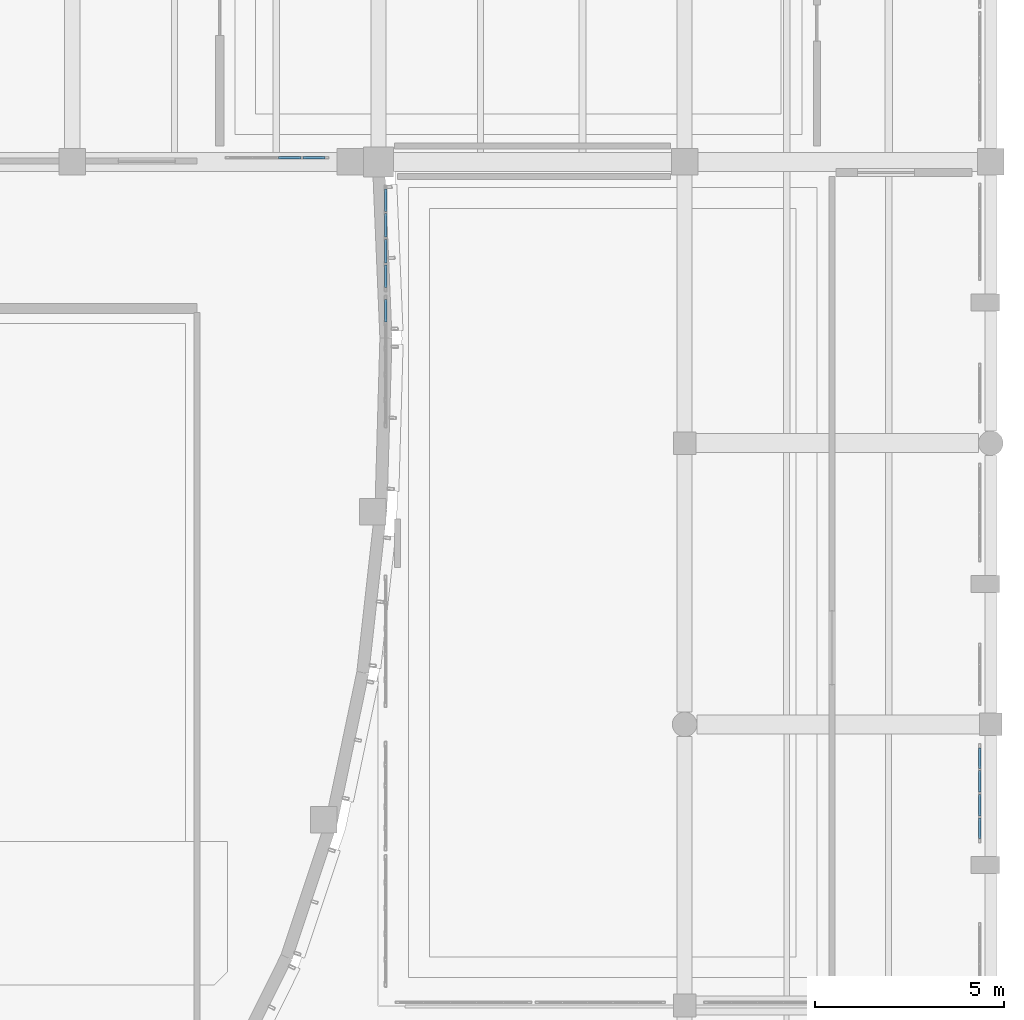
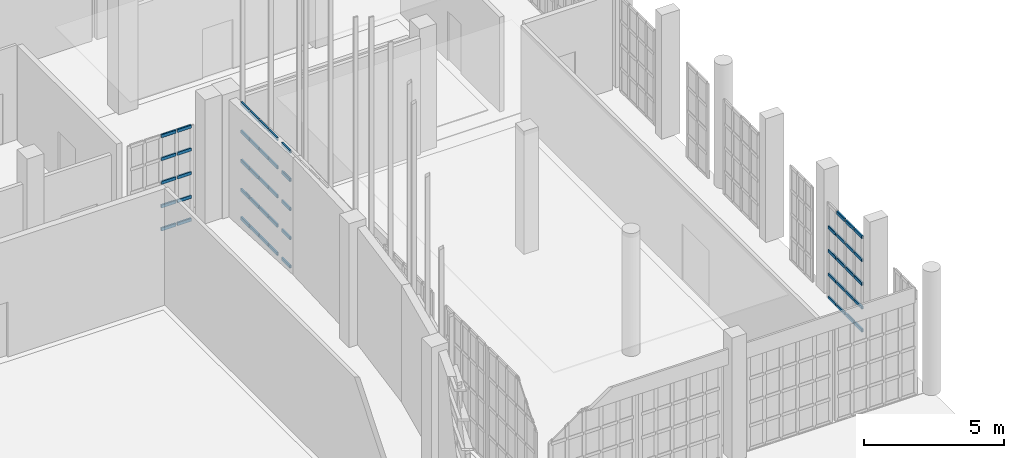
# One storey, part 316 of 372: 54 members, 4 elements without a shape of their own.
"""IFC4 building model written with IfcOpenShell, lengths in metres."""

from ifc_helpers import new_model, si_unit, direction, frame, origin, origin_2d, place, context, subcontext, project, spatial, hollow_rectangle, extrude, material, material_profile, profile_set, type_object, element, aggregate, save


model = new_model("IFC4")

# Units and contexts
model_context = context("Model", 3, precision=1e-05, world=origin(), true_north=direction((0.0, 1.0)))
body_context = subcontext(model_context, "Body", "Model", "MODEL_VIEW")
ifc_project = project(units=[si_unit("LENGTHUNIT", "METRE"), si_unit("AREAUNIT", "SQUARE_METRE"), si_unit("VOLUMEUNIT", "CUBIC_METRE"), si_unit("PLANEANGLEUNIT", "RADIAN"), si_unit("MASSUNIT", "GRAM", prefix="KILO")], contexts=[model_context])

# Site, building, storey
site_placement = place(None, origin())
site = spatial("IfcSite", under=ifc_project, at=site_placement, CompositionType="ELEMENT")
building_placement = place(site_placement, origin())
building = spatial("IfcBuilding", under=site, at=building_placement, Name="Kaelora Sail Theatre", CompositionType="ELEMENT")
storey_placement = place(building_placement, origin())
storey = spatial("IfcBuildingStorey", under=building, at=storey_placement, Name="L00", CompositionType="ELEMENT", Elevation=0.0)

# Curtain wall, members
ifc_material_1 = material(Name="Anodised aluminium and solar-control low-E IGU", Category="aluminium")
curtain_wall_type_1 = type_object("IfcCurtainWallType", Name="ARC-CW-CW-FOY2", PredefinedType="NOTDEFINED", material=ifc_material_1)
curtain_wall_1_placement = place(storey_placement, origin())
curtain_wall_1 = element("IfcCurtainWall", 1, at=curtain_wall_1_placement, inside=storey, type_object=curtain_wall_type_1, Name="Glazed Foyer/Conservatory Curtain Wall FE1-S-L00-01", PredefinedType="NOTDEFINED")
ifc_material_2 = material(Name="Anodised aluminium 6063-T6", Category="aluminium")
ifc_material_profile = material_profile(ifc_material_2, hollow_rectangle(XDim=0.070068359375, YDim=0.139892578125, WallThickness=0.00390625, InnerFilletRadius=0.00390625, OuterFilletRadius=0.008056640625, at=origin_2d()), Name="ALU-TRAN 70x140x4")
ifc_profile_set = profile_set([ifc_material_profile], Name="Anodised aluminium 6063-T6")
member_type = type_object("IfcMemberType", Name="ARC-MEM-TR-140", PredefinedType="USERDEFINED", material=ifc_profile_set)
member_1_placement = place(storey_placement, frame((144.64990234375, 53.68994140625, 0.034912109375), z_axis=(1.0, 0.0, 0.0), x_axis=(0.0, 1.0, 0.0)))
member_1 = element("IfcMember", 2, at=member_1_placement, type_object=member_type, Name="CW-FOY2 transom 3.1", ObjectType="TRANSOM", PredefinedType="USERDEFINED", context=body_context, shape_type="SweptSolid", body=[
    extrude(hollow_rectangle(XDim=0.070068359375, YDim=0.139892578125, WallThickness=0.00390625, InnerFilletRadius=0.00390625, OuterFilletRadius=0.008056640625, at=origin_2d()), origin(), (0.0, 0.0, 1.0), 0.60009765625),
])
member_2_placement = place(storey_placement, frame((144.64990234375, 53.68994140625, 1.0341796875), z_axis=(1.0, 0.0, 0.0), x_axis=(0.0, 1.0, 0.0)))
member_2 = element("IfcMember", 3, at=member_2_placement, type_object=member_type, Name="CW-FOY2 transom 3.2", ObjectType="TRANSOM", PredefinedType="USERDEFINED", context=body_context, shape_type="SweptSolid", body=[
    extrude(hollow_rectangle(XDim=0.070068359375, YDim=0.139892578125, WallThickness=0.00390625, InnerFilletRadius=0.00390625, OuterFilletRadius=0.008056640625, at=origin_2d()), origin(), (0.0, 0.0, 1.0), 0.60009765625),
])
member_3_placement = place(storey_placement, frame((144.64990234375, 53.68994140625, 2.068603515625), z_axis=(1.0, 0.0, 0.0), x_axis=(0.0, 1.0, 0.0)))
member_3 = element("IfcMember", 4, at=member_3_placement, type_object=member_type, Name="CW-FOY2 transom 3.3", ObjectType="TRANSOM", PredefinedType="USERDEFINED", context=body_context, shape_type="SweptSolid", body=[
    extrude(hollow_rectangle(XDim=0.070068359375, YDim=0.139892578125, WallThickness=0.00390625, InnerFilletRadius=0.00390625, OuterFilletRadius=0.008056640625, at=origin_2d()), origin(), (0.0, 0.0, 1.0), 0.60009765625),
])
member_4_placement = place(storey_placement, frame((144.64990234375, 53.68994140625, 3.102783203125), z_axis=(1.0, 0.0, 0.0), x_axis=(0.0, 1.0, 0.0)))
member_4 = element("IfcMember", 5, at=member_4_placement, type_object=member_type, Name="CW-FOY2 transom 3.4", ObjectType="TRANSOM", PredefinedType="USERDEFINED", context=body_context, shape_type="SweptSolid", body=[
    extrude(hollow_rectangle(XDim=0.070068359375, YDim=0.139892578125, WallThickness=0.00390625, InnerFilletRadius=0.00390625, OuterFilletRadius=0.008056640625, at=origin_2d()), origin(), (0.0, 0.0, 1.0), 0.60009765625),
])
member_5_placement = place(storey_placement, frame((144.64990234375, 53.68994140625, 4.10205078125), z_axis=(1.0, 0.0, 0.0), x_axis=(0.0, 1.0, 0.0)))
member_5 = element("IfcMember", 6, at=member_5_placement, type_object=member_type, Name="CW-FOY2 transom 3.5", ObjectType="TRANSOM", PredefinedType="USERDEFINED", context=body_context, shape_type="SweptSolid", body=[
    extrude(hollow_rectangle(XDim=0.070068359375, YDim=0.139892578125, WallThickness=0.00390625, InnerFilletRadius=0.00390625, OuterFilletRadius=0.008056640625, at=origin_2d()), origin(), (0.0, 0.0, 1.0), 0.60009765625),
])
member_6_placement = place(storey_placement, frame((145.31005859375, 53.68994140625, 0.034912109375), z_axis=(1.0, 0.0, 0.0), x_axis=(0.0, 1.0, 0.0)))
member_6 = element("IfcMember", 7, at=member_6_placement, type_object=member_type, Name="CW-FOY2 transom 4.1", ObjectType="TRANSOM", PredefinedType="USERDEFINED", context=body_context, shape_type="SweptSolid", body=[
    extrude(hollow_rectangle(XDim=0.070068359375, YDim=0.139892578125, WallThickness=0.00390625, InnerFilletRadius=0.00390625, OuterFilletRadius=0.008056640625, at=origin_2d()), origin(), (0.0, 0.0, 1.0), 0.56982421875),
])
member_7_placement = place(storey_placement, frame((145.31005859375, 53.68994140625, 1.0341796875), z_axis=(1.0, 0.0, 0.0), x_axis=(0.0, 1.0, 0.0)))
member_7 = element("IfcMember", 8, at=member_7_placement, type_object=member_type, Name="CW-FOY2 transom 4.2", ObjectType="TRANSOM", PredefinedType="USERDEFINED", context=body_context, shape_type="SweptSolid", body=[
    extrude(hollow_rectangle(XDim=0.070068359375, YDim=0.139892578125, WallThickness=0.00390625, InnerFilletRadius=0.00390625, OuterFilletRadius=0.008056640625, at=origin_2d()), origin(), (0.0, 0.0, 1.0), 0.56982421875),
])
member_8_placement = place(storey_placement, frame((145.31005859375, 53.68994140625, 2.068603515625), z_axis=(1.0, 0.0, 0.0), x_axis=(0.0, 1.0, 0.0)))
member_8 = element("IfcMember", 9, at=member_8_placement, type_object=member_type, Name="CW-FOY2 transom 4.3", ObjectType="TRANSOM", PredefinedType="USERDEFINED", context=body_context, shape_type="SweptSolid", body=[
    extrude(hollow_rectangle(XDim=0.070068359375, YDim=0.139892578125, WallThickness=0.00390625, InnerFilletRadius=0.00390625, OuterFilletRadius=0.008056640625, at=origin_2d()), origin(), (0.0, 0.0, 1.0), 0.56982421875),
])
member_9_placement = place(storey_placement, frame((145.31005859375, 53.68994140625, 3.102783203125), z_axis=(1.0, 0.0, 0.0), x_axis=(0.0, 1.0, 0.0)))
member_9 = element("IfcMember", 10, at=member_9_placement, type_object=member_type, Name="CW-FOY2 transom 4.4", ObjectType="TRANSOM", PredefinedType="USERDEFINED", context=body_context, shape_type="SweptSolid", body=[
    extrude(hollow_rectangle(XDim=0.070068359375, YDim=0.139892578125, WallThickness=0.00390625, InnerFilletRadius=0.00390625, OuterFilletRadius=0.008056640625, at=origin_2d()), origin(), (0.0, 0.0, 1.0), 0.56982421875),
])
member_10_placement = place(storey_placement, frame((145.31005859375, 53.68994140625, 4.10205078125), z_axis=(1.0, 0.0, 0.0), x_axis=(0.0, 1.0, 0.0)))
member_10 = element("IfcMember", 11, at=member_10_placement, type_object=member_type, Name="CW-FOY2 transom 4.5", ObjectType="TRANSOM", PredefinedType="USERDEFINED", context=body_context, shape_type="SweptSolid", body=[
    extrude(hollow_rectangle(XDim=0.070068359375, YDim=0.139892578125, WallThickness=0.00390625, InnerFilletRadius=0.00390625, OuterFilletRadius=0.008056640625, at=origin_2d()), origin(), (0.0, 0.0, 1.0), 0.56982421875),
])
aggregate(curtain_wall_1, [member_1, member_2, member_3, member_4, member_5, member_6, member_7, member_8, member_9, member_10])

curtain_wall_2_placement = place(storey_placement, origin())
curtain_wall_2 = element("IfcCurtainWall", 12, at=curtain_wall_2_placement, inside=storey, type_object=curtain_wall_type_1, Name="Glazed Colonnade/Courtyard Curtain Wall COLE-W-L00-05", PredefinedType="NOTDEFINED")
member_11_placement = place(storey_placement, frame((147.489990234375, 49.35009765625, 0.034912109375), z_axis=(0.0, 1.0, 0.0), x_axis=(-1.0, 0.0, 0.0)))
member_11 = element("IfcMember", 13, at=member_11_placement, type_object=member_type, Name="CW-FOY2 transom 5.1", ObjectType="TRANSOM", PredefinedType="USERDEFINED", context=body_context, shape_type="SweptSolid", body=[
    extrude(hollow_rectangle(XDim=0.070068359375, YDim=0.139892578125, WallThickness=0.00390625, InnerFilletRadius=0.00390625, OuterFilletRadius=0.008056640625, at=origin_2d()), origin(), (0.0, 0.0, 1.0), 0.58984375),
])
member_12_placement = place(storey_placement, frame((147.489990234375, 49.35009765625, 1.271240234375), z_axis=(0.0, 1.0, 0.0), x_axis=(-1.0, 0.0, 0.0)))
member_12 = element("IfcMember", 14, at=member_12_placement, type_object=member_type, Name="CW-FOY2 transom 5.2", ObjectType="TRANSOM", PredefinedType="USERDEFINED", context=body_context, shape_type="SweptSolid", body=[
    extrude(hollow_rectangle(XDim=0.070068359375, YDim=0.139892578125, WallThickness=0.00390625, InnerFilletRadius=0.00390625, OuterFilletRadius=0.008056640625, at=origin_2d()), origin(), (0.0, 0.0, 1.0), 0.58984375),
])
member_13_placement = place(storey_placement, frame((147.489990234375, 49.35009765625, 2.54248046875), z_axis=(0.0, 1.0, 0.0), x_axis=(-1.0, 0.0, 0.0)))
member_13 = element("IfcMember", 15, at=member_13_placement, type_object=member_type, Name="CW-FOY2 transom 5.3", ObjectType="TRANSOM", PredefinedType="USERDEFINED", context=body_context, shape_type="SweptSolid", body=[
    extrude(hollow_rectangle(XDim=0.070068359375, YDim=0.139892578125, WallThickness=0.00390625, InnerFilletRadius=0.00390625, OuterFilletRadius=0.008056640625, at=origin_2d()), origin(), (0.0, 0.0, 1.0), 0.58984375),
])
member_14_placement = place(storey_placement, frame((147.489990234375, 49.35009765625, 3.813720703125), z_axis=(0.0, 1.0, 0.0), x_axis=(-1.0, 0.0, 0.0)))
member_14 = element("IfcMember", 16, at=member_14_placement, type_object=member_type, Name="CW-FOY2 transom 5.4", ObjectType="TRANSOM", PredefinedType="USERDEFINED", context=body_context, shape_type="SweptSolid", body=[
    extrude(hollow_rectangle(XDim=0.070068359375, YDim=0.139892578125, WallThickness=0.00390625, InnerFilletRadius=0.00390625, OuterFilletRadius=0.008056640625, at=origin_2d()), origin(), (0.0, 0.0, 1.0), 0.58984375),
])
member_15_placement = place(storey_placement, frame((147.489990234375, 49.35009765625, 5.050048828125), z_axis=(0.0, 1.0, 0.0), x_axis=(-1.0, 0.0, 0.0)))
member_15 = element("IfcMember", 17, at=member_15_placement, type_object=member_type, Name="CW-FOY2 transom 5.5", ObjectType="TRANSOM", PredefinedType="USERDEFINED", context=body_context, shape_type="SweptSolid", body=[
    extrude(hollow_rectangle(XDim=0.070068359375, YDim=0.139892578125, WallThickness=0.00390625, InnerFilletRadius=0.00390625, OuterFilletRadius=0.008056640625, at=origin_2d()), origin(), (0.0, 0.0, 1.0), 0.58984375),
])
aggregate(curtain_wall_2, [member_11, member_12, member_13, member_14, member_15])

curtain_wall_3_placement = place(storey_placement, origin())
curtain_wall_3 = element("IfcCurtainWall", 18, at=curtain_wall_3_placement, inside=storey, type_object=curtain_wall_type_1, Name="Glazed Colonnade/Courtyard Curtain Wall COLE-W-L00-06", PredefinedType="NOTDEFINED")
member_16_placement = place(storey_placement, frame((147.489990234375, 50.260009765625, 0.034912109375), z_axis=(0.0, 1.0, 0.0), x_axis=(-1.0, 0.0, 0.0)))
member_16 = element("IfcMember", 19, at=member_16_placement, type_object=member_type, Name="CW-FOY2 transom 1.1", ObjectType="TRANSOM", PredefinedType="USERDEFINED", context=body_context, shape_type="SweptSolid", body=[
    extrude(hollow_rectangle(XDim=0.070068359375, YDim=0.139892578125, WallThickness=0.00390625, InnerFilletRadius=0.00390625, OuterFilletRadius=0.008056640625, at=origin_2d()), origin(), (0.0, 0.0, 1.0), 0.590087890625),
])
member_17_placement = place(storey_placement, frame((147.489990234375, 50.260009765625, 1.271240234375), z_axis=(0.0, 1.0, 0.0), x_axis=(-1.0, 0.0, 0.0)))
member_17 = element("IfcMember", 20, at=member_17_placement, type_object=member_type, Name="CW-FOY2 transom 1.2", ObjectType="TRANSOM", PredefinedType="USERDEFINED", context=body_context, shape_type="SweptSolid", body=[
    extrude(hollow_rectangle(XDim=0.070068359375, YDim=0.139892578125, WallThickness=0.00390625, InnerFilletRadius=0.00390625, OuterFilletRadius=0.008056640625, at=origin_2d()), origin(), (0.0, 0.0, 1.0), 0.590087890625),
])
member_18_placement = place(storey_placement, frame((147.489990234375, 50.260009765625, 2.54248046875), z_axis=(0.0, 1.0, 0.0), x_axis=(-1.0, 0.0, 0.0)))
member_18 = element("IfcMember", 21, at=member_18_placement, type_object=member_type, Name="CW-FOY2 transom 1.3", ObjectType="TRANSOM", PredefinedType="USERDEFINED", context=body_context, shape_type="SweptSolid", body=[
    extrude(hollow_rectangle(XDim=0.070068359375, YDim=0.139892578125, WallThickness=0.00390625, InnerFilletRadius=0.00390625, OuterFilletRadius=0.008056640625, at=origin_2d()), origin(), (0.0, 0.0, 1.0), 0.590087890625),
])
member_19_placement = place(storey_placement, frame((147.489990234375, 50.260009765625, 3.813720703125), z_axis=(0.0, 1.0, 0.0), x_axis=(-1.0, 0.0, 0.0)))
member_19 = element("IfcMember", 22, at=member_19_placement, type_object=member_type, Name="CW-FOY2 transom 1.4", ObjectType="TRANSOM", PredefinedType="USERDEFINED", context=body_context, shape_type="SweptSolid", body=[
    extrude(hollow_rectangle(XDim=0.070068359375, YDim=0.139892578125, WallThickness=0.00390625, InnerFilletRadius=0.00390625, OuterFilletRadius=0.008056640625, at=origin_2d()), origin(), (0.0, 0.0, 1.0), 0.590087890625),
])
member_20_placement = place(storey_placement, frame((147.489990234375, 50.260009765625, 5.050048828125), z_axis=(0.0, 1.0, 0.0), x_axis=(-1.0, 0.0, 0.0)))
member_20 = element("IfcMember", 23, at=member_20_placement, type_object=member_type, Name="CW-FOY2 transom 1.5", ObjectType="TRANSOM", PredefinedType="USERDEFINED", context=body_context, shape_type="SweptSolid", body=[
    extrude(hollow_rectangle(XDim=0.070068359375, YDim=0.139892578125, WallThickness=0.00390625, InnerFilletRadius=0.00390625, OuterFilletRadius=0.008056640625, at=origin_2d()), origin(), (0.0, 0.0, 1.0), 0.590087890625),
])
member_21_placement = place(storey_placement, frame((147.489990234375, 50.909912109375, 0.034912109375), z_axis=(0.0, 1.0, 0.0), x_axis=(-1.0, 0.0, 0.0)))
member_21 = element("IfcMember", 24, at=member_21_placement, type_object=member_type, Name="CW-FOY2 transom 2.1", ObjectType="TRANSOM", PredefinedType="USERDEFINED", context=body_context, shape_type="SweptSolid", body=[
    extrude(hollow_rectangle(XDim=0.070068359375, YDim=0.139892578125, WallThickness=0.00390625, InnerFilletRadius=0.00390625, OuterFilletRadius=0.008056640625, at=origin_2d()), origin(), (0.0, 0.0, 1.0), 0.6201171875),
])
member_22_placement = place(storey_placement, frame((147.489990234375, 50.909912109375, 1.271240234375), z_axis=(0.0, 1.0, 0.0), x_axis=(-1.0, 0.0, 0.0)))
member_22 = element("IfcMember", 25, at=member_22_placement, type_object=member_type, Name="CW-FOY2 transom 2.2", ObjectType="TRANSOM", PredefinedType="USERDEFINED", context=body_context, shape_type="SweptSolid", body=[
    extrude(hollow_rectangle(XDim=0.070068359375, YDim=0.139892578125, WallThickness=0.00390625, InnerFilletRadius=0.00390625, OuterFilletRadius=0.008056640625, at=origin_2d()), origin(), (0.0, 0.0, 1.0), 0.6201171875),
])
member_23_placement = place(storey_placement, frame((147.489990234375, 50.909912109375, 2.54248046875), z_axis=(0.0, 1.0, 0.0), x_axis=(-1.0, 0.0, 0.0)))
member_23 = element("IfcMember", 26, at=member_23_placement, type_object=member_type, Name="CW-FOY2 transom 2.3", ObjectType="TRANSOM", PredefinedType="USERDEFINED", context=body_context, shape_type="SweptSolid", body=[
    extrude(hollow_rectangle(XDim=0.070068359375, YDim=0.139892578125, WallThickness=0.00390625, InnerFilletRadius=0.00390625, OuterFilletRadius=0.008056640625, at=origin_2d()), origin(), (0.0, 0.0, 1.0), 0.6201171875),
])
member_24_placement = place(storey_placement, frame((147.489990234375, 50.909912109375, 3.813720703125), z_axis=(0.0, 1.0, 0.0), x_axis=(-1.0, 0.0, 0.0)))
member_24 = element("IfcMember", 27, at=member_24_placement, type_object=member_type, Name="CW-FOY2 transom 2.4", ObjectType="TRANSOM", PredefinedType="USERDEFINED", context=body_context, shape_type="SweptSolid", body=[
    extrude(hollow_rectangle(XDim=0.070068359375, YDim=0.139892578125, WallThickness=0.00390625, InnerFilletRadius=0.00390625, OuterFilletRadius=0.008056640625, at=origin_2d()), origin(), (0.0, 0.0, 1.0), 0.6201171875),
])
member_25_placement = place(storey_placement, frame((147.489990234375, 50.909912109375, 5.050048828125), z_axis=(0.0, 1.0, 0.0), x_axis=(-1.0, 0.0, 0.0)))
member_25 = element("IfcMember", 28, at=member_25_placement, type_object=member_type, Name="CW-FOY2 transom 2.5", ObjectType="TRANSOM", PredefinedType="USERDEFINED", context=body_context, shape_type="SweptSolid", body=[
    extrude(hollow_rectangle(XDim=0.070068359375, YDim=0.139892578125, WallThickness=0.00390625, InnerFilletRadius=0.00390625, OuterFilletRadius=0.008056640625, at=origin_2d()), origin(), (0.0, 0.0, 1.0), 0.6201171875),
])
member_26_placement = place(storey_placement, frame((147.489990234375, 51.590087890625, 0.034912109375), z_axis=(0.0, 1.0, 0.0), x_axis=(-1.0, 0.0, 0.0)))
member_26 = element("IfcMember", 29, at=member_26_placement, type_object=member_type, Name="CW-FOY2 transom 3.1", ObjectType="TRANSOM", PredefinedType="USERDEFINED", context=body_context, shape_type="SweptSolid", body=[
    extrude(hollow_rectangle(XDim=0.070068359375, YDim=0.139892578125, WallThickness=0.00390625, InnerFilletRadius=0.00390625, OuterFilletRadius=0.008056640625, at=origin_2d()), origin(), (0.0, 0.0, 1.0), 0.619873046875),
])
member_27_placement = place(storey_placement, frame((147.489990234375, 51.590087890625, 1.271240234375), z_axis=(0.0, 1.0, 0.0), x_axis=(-1.0, 0.0, 0.0)))
member_27 = element("IfcMember", 30, at=member_27_placement, type_object=member_type, Name="CW-FOY2 transom 3.2", ObjectType="TRANSOM", PredefinedType="USERDEFINED", context=body_context, shape_type="SweptSolid", body=[
    extrude(hollow_rectangle(XDim=0.070068359375, YDim=0.139892578125, WallThickness=0.00390625, InnerFilletRadius=0.00390625, OuterFilletRadius=0.008056640625, at=origin_2d()), origin(), (0.0, 0.0, 1.0), 0.619873046875),
])
member_28_placement = place(storey_placement, frame((147.489990234375, 51.590087890625, 2.54248046875), z_axis=(0.0, 1.0, 0.0), x_axis=(-1.0, 0.0, 0.0)))
member_28 = element("IfcMember", 31, at=member_28_placement, type_object=member_type, Name="CW-FOY2 transom 3.3", ObjectType="TRANSOM", PredefinedType="USERDEFINED", context=body_context, shape_type="SweptSolid", body=[
    extrude(hollow_rectangle(XDim=0.070068359375, YDim=0.139892578125, WallThickness=0.00390625, InnerFilletRadius=0.00390625, OuterFilletRadius=0.008056640625, at=origin_2d()), origin(), (0.0, 0.0, 1.0), 0.619873046875),
])
member_29_placement = place(storey_placement, frame((147.489990234375, 51.590087890625, 3.813720703125), z_axis=(0.0, 1.0, 0.0), x_axis=(-1.0, 0.0, 0.0)))
member_29 = element("IfcMember", 32, at=member_29_placement, type_object=member_type, Name="CW-FOY2 transom 3.4", ObjectType="TRANSOM", PredefinedType="USERDEFINED", context=body_context, shape_type="SweptSolid", body=[
    extrude(hollow_rectangle(XDim=0.070068359375, YDim=0.139892578125, WallThickness=0.00390625, InnerFilletRadius=0.00390625, OuterFilletRadius=0.008056640625, at=origin_2d()), origin(), (0.0, 0.0, 1.0), 0.619873046875),
])
member_30_placement = place(storey_placement, frame((147.489990234375, 51.590087890625, 5.050048828125), z_axis=(0.0, 1.0, 0.0), x_axis=(-1.0, 0.0, 0.0)))
member_30 = element("IfcMember", 33, at=member_30_placement, type_object=member_type, Name="CW-FOY2 transom 3.5", ObjectType="TRANSOM", PredefinedType="USERDEFINED", context=body_context, shape_type="SweptSolid", body=[
    extrude(hollow_rectangle(XDim=0.070068359375, YDim=0.139892578125, WallThickness=0.00390625, InnerFilletRadius=0.00390625, OuterFilletRadius=0.008056640625, at=origin_2d()), origin(), (0.0, 0.0, 1.0), 0.619873046875),
])
member_31_placement = place(storey_placement, frame((147.489990234375, 52.27001953125, 0.034912109375), z_axis=(0.0, 1.0, 0.0), x_axis=(-1.0, 0.0, 0.0)))
member_31 = element("IfcMember", 34, at=member_31_placement, type_object=member_type, Name="CW-FOY2 transom 4.1", ObjectType="TRANSOM", PredefinedType="USERDEFINED", context=body_context, shape_type="SweptSolid", body=[
    extrude(hollow_rectangle(XDim=0.070068359375, YDim=0.139892578125, WallThickness=0.00390625, InnerFilletRadius=0.00390625, OuterFilletRadius=0.008056640625, at=origin_2d()), origin(), (0.0, 0.0, 1.0), 0.590087890625),
])
member_32_placement = place(storey_placement, frame((147.489990234375, 52.27001953125, 1.271240234375), z_axis=(0.0, 1.0, 0.0), x_axis=(-1.0, 0.0, 0.0)))
member_32 = element("IfcMember", 35, at=member_32_placement, type_object=member_type, Name="CW-FOY2 transom 4.2", ObjectType="TRANSOM", PredefinedType="USERDEFINED", context=body_context, shape_type="SweptSolid", body=[
    extrude(hollow_rectangle(XDim=0.070068359375, YDim=0.139892578125, WallThickness=0.00390625, InnerFilletRadius=0.00390625, OuterFilletRadius=0.008056640625, at=origin_2d()), origin(), (0.0, 0.0, 1.0), 0.590087890625),
])
member_33_placement = place(storey_placement, frame((147.489990234375, 52.27001953125, 2.54248046875), z_axis=(0.0, 1.0, 0.0), x_axis=(-1.0, 0.0, 0.0)))
member_33 = element("IfcMember", 36, at=member_33_placement, type_object=member_type, Name="CW-FOY2 transom 4.3", ObjectType="TRANSOM", PredefinedType="USERDEFINED", context=body_context, shape_type="SweptSolid", body=[
    extrude(hollow_rectangle(XDim=0.070068359375, YDim=0.139892578125, WallThickness=0.00390625, InnerFilletRadius=0.00390625, OuterFilletRadius=0.008056640625, at=origin_2d()), origin(), (0.0, 0.0, 1.0), 0.590087890625),
])
member_34_placement = place(storey_placement, frame((147.489990234375, 52.27001953125, 3.813720703125), z_axis=(0.0, 1.0, 0.0), x_axis=(-1.0, 0.0, 0.0)))
member_34 = element("IfcMember", 37, at=member_34_placement, type_object=member_type, Name="CW-FOY2 transom 4.4", ObjectType="TRANSOM", PredefinedType="USERDEFINED", context=body_context, shape_type="SweptSolid", body=[
    extrude(hollow_rectangle(XDim=0.070068359375, YDim=0.139892578125, WallThickness=0.00390625, InnerFilletRadius=0.00390625, OuterFilletRadius=0.008056640625, at=origin_2d()), origin(), (0.0, 0.0, 1.0), 0.590087890625),
])
member_35_placement = place(storey_placement, frame((147.489990234375, 52.27001953125, 5.050048828125), z_axis=(0.0, 1.0, 0.0), x_axis=(-1.0, 0.0, 0.0)))
member_35 = element("IfcMember", 38, at=member_35_placement, type_object=member_type, Name="CW-FOY2 transom 4.5", ObjectType="TRANSOM", PredefinedType="USERDEFINED", context=body_context, shape_type="SweptSolid", body=[
    extrude(hollow_rectangle(XDim=0.070068359375, YDim=0.139892578125, WallThickness=0.00390625, InnerFilletRadius=0.00390625, OuterFilletRadius=0.008056640625, at=origin_2d()), origin(), (0.0, 0.0, 1.0), 0.590087890625),
])
aggregate(curtain_wall_3, [member_16, member_17, member_18, member_19, member_20, member_21, member_22, member_23, member_24, member_25, member_26, member_27, member_28, member_29, member_30, member_31, member_32, member_33, member_34, member_35])

ifc_material_3 = material(Name="Anodised aluminium and solar-control low-E IGU", Category="aluminium")
curtain_wall_type_2 = type_object("IfcCurtainWallType", Name="ARC-CW-CW-FOY1", PredefinedType="NOTDEFINED", material=ifc_material_3)
curtain_wall_4_placement = place(storey_placement, origin())
curtain_wall_4 = element("IfcCurtainWall", 39, at=curtain_wall_4_placement, inside=storey, type_object=curtain_wall_type_2, Name="Glazed Colonnade/Courtyard Curtain Wall COLE-E-L00-03", PredefinedType="NOTDEFINED")
member_36_placement = place(storey_placement, frame((163.2099609375, 35.675048828125, 0.034912109375), z_axis=(0.0, 1.0, 0.0), x_axis=(-1.0, 0.0, 0.0)))
member_36 = element("IfcMember", 40, at=member_36_placement, type_object=member_type, Name="CW-FOY1 transom 1.1", ObjectType="TRANSOM", PredefinedType="USERDEFINED", context=body_context, shape_type="SweptSolid", body=[
    extrude(hollow_rectangle(XDim=0.070068359375, YDim=0.139892578125, WallThickness=0.00390625, InnerFilletRadius=0.00390625, OuterFilletRadius=0.008056640625, at=origin_2d()), origin(), (0.0, 0.0, 1.0), 0.541259765625),
])
member_37_placement = place(storey_placement, frame((163.2099609375, 35.675048828125, 1.0341796875), z_axis=(0.0, 1.0, 0.0), x_axis=(-1.0, 0.0, 0.0)))
member_37 = element("IfcMember", 41, at=member_37_placement, type_object=member_type, Name="CW-FOY1 transom 1.2", ObjectType="TRANSOM", PredefinedType="USERDEFINED", context=body_context, shape_type="SweptSolid", body=[
    extrude(hollow_rectangle(XDim=0.070068359375, YDim=0.139892578125, WallThickness=0.00390625, InnerFilletRadius=0.00390625, OuterFilletRadius=0.008056640625, at=origin_2d()), origin(), (0.0, 0.0, 1.0), 0.541259765625),
])
member_38_placement = place(storey_placement, frame((163.2099609375, 35.675048828125, 2.068603515625), z_axis=(0.0, 1.0, 0.0), x_axis=(-1.0, 0.0, 0.0)))
member_38 = element("IfcMember", 42, at=member_38_placement, type_object=member_type, Name="CW-FOY1 transom 1.3", ObjectType="TRANSOM", PredefinedType="USERDEFINED", context=body_context, shape_type="SweptSolid", body=[
    extrude(hollow_rectangle(XDim=0.070068359375, YDim=0.139892578125, WallThickness=0.00390625, InnerFilletRadius=0.00390625, OuterFilletRadius=0.008056640625, at=origin_2d()), origin(), (0.0, 0.0, 1.0), 0.541259765625),
])
member_39_placement = place(storey_placement, frame((163.2099609375, 35.675048828125, 3.102783203125), z_axis=(0.0, 1.0, 0.0), x_axis=(-1.0, 0.0, 0.0)))
member_39 = element("IfcMember", 43, at=member_39_placement, type_object=member_type, Name="CW-FOY1 transom 1.4", ObjectType="TRANSOM", PredefinedType="USERDEFINED", context=body_context, shape_type="SweptSolid", body=[
    extrude(hollow_rectangle(XDim=0.070068359375, YDim=0.139892578125, WallThickness=0.00390625, InnerFilletRadius=0.00390625, OuterFilletRadius=0.008056640625, at=origin_2d()), origin(), (0.0, 0.0, 1.0), 0.541259765625),
])
member_40_placement = place(storey_placement, frame((163.2099609375, 35.675048828125, 4.10205078125), z_axis=(0.0, 1.0, 0.0), x_axis=(-1.0, 0.0, 0.0)))
member_40 = element("IfcMember", 44, at=member_40_placement, type_object=member_type, Name="CW-FOY1 transom 1.5", ObjectType="TRANSOM", PredefinedType="USERDEFINED", context=body_context, shape_type="SweptSolid", body=[
    extrude(hollow_rectangle(XDim=0.070068359375, YDim=0.139892578125, WallThickness=0.00390625, InnerFilletRadius=0.00390625, OuterFilletRadius=0.008056640625, at=origin_2d()), origin(), (0.0, 0.0, 1.0), 0.541259765625),
])
member_41_placement = place(storey_placement, frame((163.2099609375, 36.2763671875, 0.034912109375), z_axis=(0.0, 1.0, 0.0), x_axis=(-1.0, 0.0, 0.0)))
member_41 = element("IfcMember", 45, at=member_41_placement, type_object=member_type, Name="CW-FOY1 transom 2.1", ObjectType="TRANSOM", PredefinedType="USERDEFINED", context=body_context, shape_type="SweptSolid", body=[
    extrude(hollow_rectangle(XDim=0.070068359375, YDim=0.139892578125, WallThickness=0.00390625, InnerFilletRadius=0.00390625, OuterFilletRadius=0.008056640625, at=origin_2d()), origin(), (0.0, 0.0, 1.0), 0.571044921875),
])
member_42_placement = place(storey_placement, frame((163.2099609375, 36.2763671875, 1.0341796875), z_axis=(0.0, 1.0, 0.0), x_axis=(-1.0, 0.0, 0.0)))
member_42 = element("IfcMember", 46, at=member_42_placement, type_object=member_type, Name="CW-FOY1 transom 2.2", ObjectType="TRANSOM", PredefinedType="USERDEFINED", context=body_context, shape_type="SweptSolid", body=[
    extrude(hollow_rectangle(XDim=0.070068359375, YDim=0.139892578125, WallThickness=0.00390625, InnerFilletRadius=0.00390625, OuterFilletRadius=0.008056640625, at=origin_2d()), origin(), (0.0, 0.0, 1.0), 0.571044921875),
])
member_43_placement = place(storey_placement, frame((163.2099609375, 36.2763671875, 2.068603515625), z_axis=(0.0, 1.0, 0.0), x_axis=(-1.0, 0.0, 0.0)))
member_43 = element("IfcMember", 47, at=member_43_placement, type_object=member_type, Name="CW-FOY1 transom 2.3", ObjectType="TRANSOM", PredefinedType="USERDEFINED", context=body_context, shape_type="SweptSolid", body=[
    extrude(hollow_rectangle(XDim=0.070068359375, YDim=0.139892578125, WallThickness=0.00390625, InnerFilletRadius=0.00390625, OuterFilletRadius=0.008056640625, at=origin_2d()), origin(), (0.0, 0.0, 1.0), 0.571044921875),
])
member_44_placement = place(storey_placement, frame((163.2099609375, 36.2763671875, 3.102783203125), z_axis=(0.0, 1.0, 0.0), x_axis=(-1.0, 0.0, 0.0)))
member_44 = element("IfcMember", 48, at=member_44_placement, type_object=member_type, Name="CW-FOY1 transom 2.4", ObjectType="TRANSOM", PredefinedType="USERDEFINED", context=body_context, shape_type="SweptSolid", body=[
    extrude(hollow_rectangle(XDim=0.070068359375, YDim=0.139892578125, WallThickness=0.00390625, InnerFilletRadius=0.00390625, OuterFilletRadius=0.008056640625, at=origin_2d()), origin(), (0.0, 0.0, 1.0), 0.571044921875),
])
member_45_placement = place(storey_placement, frame((163.2099609375, 36.2763671875, 4.10205078125), z_axis=(0.0, 1.0, 0.0), x_axis=(-1.0, 0.0, 0.0)))
member_45 = element("IfcMember", 49, at=member_45_placement, type_object=member_type, Name="CW-FOY1 transom 2.5", ObjectType="TRANSOM", PredefinedType="USERDEFINED", context=body_context, shape_type="SweptSolid", body=[
    extrude(hollow_rectangle(XDim=0.070068359375, YDim=0.139892578125, WallThickness=0.00390625, InnerFilletRadius=0.00390625, OuterFilletRadius=0.008056640625, at=origin_2d()), origin(), (0.0, 0.0, 1.0), 0.571044921875),
])
member_46_placement = place(storey_placement, frame((163.2099609375, 36.907470703125, 0.034912109375), z_axis=(0.0, 1.0, 0.0), x_axis=(-1.0, 0.0, 0.0)))
member_46 = element("IfcMember", 50, at=member_46_placement, type_object=member_type, Name="CW-FOY1 transom 3.1", ObjectType="TRANSOM", PredefinedType="USERDEFINED", context=body_context, shape_type="SweptSolid", body=[
    extrude(hollow_rectangle(XDim=0.070068359375, YDim=0.139892578125, WallThickness=0.00390625, InnerFilletRadius=0.00390625, OuterFilletRadius=0.008056640625, at=origin_2d()), origin(), (0.0, 0.0, 1.0), 0.5712890625),
])
member_47_placement = place(storey_placement, frame((163.2099609375, 36.907470703125, 1.0341796875), z_axis=(0.0, 1.0, 0.0), x_axis=(-1.0, 0.0, 0.0)))
member_47 = element("IfcMember", 51, at=member_47_placement, type_object=member_type, Name="CW-FOY1 transom 3.2", ObjectType="TRANSOM", PredefinedType="USERDEFINED", context=body_context, shape_type="SweptSolid", body=[
    extrude(hollow_rectangle(XDim=0.070068359375, YDim=0.139892578125, WallThickness=0.00390625, InnerFilletRadius=0.00390625, OuterFilletRadius=0.008056640625, at=origin_2d()), origin(), (0.0, 0.0, 1.0), 0.5712890625),
])
member_48_placement = place(storey_placement, frame((163.2099609375, 36.907470703125, 2.068603515625), z_axis=(0.0, 1.0, 0.0), x_axis=(-1.0, 0.0, 0.0)))
member_48 = element("IfcMember", 52, at=member_48_placement, type_object=member_type, Name="CW-FOY1 transom 3.3", ObjectType="TRANSOM", PredefinedType="USERDEFINED", context=body_context, shape_type="SweptSolid", body=[
    extrude(hollow_rectangle(XDim=0.070068359375, YDim=0.139892578125, WallThickness=0.00390625, InnerFilletRadius=0.00390625, OuterFilletRadius=0.008056640625, at=origin_2d()), origin(), (0.0, 0.0, 1.0), 0.5712890625),
])
member_49_placement = place(storey_placement, frame((163.2099609375, 36.907470703125, 3.102783203125), z_axis=(0.0, 1.0, 0.0), x_axis=(-1.0, 0.0, 0.0)))
member_49 = element("IfcMember", 53, at=member_49_placement, type_object=member_type, Name="CW-FOY1 transom 3.4", ObjectType="TRANSOM", PredefinedType="USERDEFINED", context=body_context, shape_type="SweptSolid", body=[
    extrude(hollow_rectangle(XDim=0.070068359375, YDim=0.139892578125, WallThickness=0.00390625, InnerFilletRadius=0.00390625, OuterFilletRadius=0.008056640625, at=origin_2d()), origin(), (0.0, 0.0, 1.0), 0.5712890625),
])
member_50_placement = place(storey_placement, frame((163.2099609375, 36.907470703125, 4.10205078125), z_axis=(0.0, 1.0, 0.0), x_axis=(-1.0, 0.0, 0.0)))
member_50 = element("IfcMember", 54, at=member_50_placement, type_object=member_type, Name="CW-FOY1 transom 3.5", ObjectType="TRANSOM", PredefinedType="USERDEFINED", context=body_context, shape_type="SweptSolid", body=[
    extrude(hollow_rectangle(XDim=0.070068359375, YDim=0.139892578125, WallThickness=0.00390625, InnerFilletRadius=0.00390625, OuterFilletRadius=0.008056640625, at=origin_2d()), origin(), (0.0, 0.0, 1.0), 0.5712890625),
])
member_51_placement = place(storey_placement, frame((163.2099609375, 37.538818359375, 0.034912109375), z_axis=(0.0, 1.0, 0.0), x_axis=(-1.0, 0.0, 0.0)))
member_51 = element("IfcMember", 55, at=member_51_placement, type_object=member_type, Name="CW-FOY1 transom 4.1", ObjectType="TRANSOM", PredefinedType="USERDEFINED", context=body_context, shape_type="SweptSolid", body=[
    extrude(hollow_rectangle(XDim=0.070068359375, YDim=0.139892578125, WallThickness=0.00390625, InnerFilletRadius=0.00390625, OuterFilletRadius=0.008056640625, at=origin_2d()), origin(), (0.0, 0.0, 1.0), 0.541259765625),
])
member_52_placement = place(storey_placement, frame((163.2099609375, 37.538818359375, 1.0341796875), z_axis=(0.0, 1.0, 0.0), x_axis=(-1.0, 0.0, 0.0)))
member_52 = element("IfcMember", 56, at=member_52_placement, type_object=member_type, Name="CW-FOY1 transom 4.2", ObjectType="TRANSOM", PredefinedType="USERDEFINED", context=body_context, shape_type="SweptSolid", body=[
    extrude(hollow_rectangle(XDim=0.070068359375, YDim=0.139892578125, WallThickness=0.00390625, InnerFilletRadius=0.00390625, OuterFilletRadius=0.008056640625, at=origin_2d()), origin(), (0.0, 0.0, 1.0), 0.541259765625),
])
member_53_placement = place(storey_placement, frame((163.2099609375, 37.538818359375, 2.068603515625), z_axis=(0.0, 1.0, 0.0), x_axis=(-1.0, 0.0, 0.0)))
member_53 = element("IfcMember", 57, at=member_53_placement, type_object=member_type, Name="CW-FOY1 transom 4.3", ObjectType="TRANSOM", PredefinedType="USERDEFINED", context=body_context, shape_type="SweptSolid", body=[
    extrude(hollow_rectangle(XDim=0.070068359375, YDim=0.139892578125, WallThickness=0.00390625, InnerFilletRadius=0.00390625, OuterFilletRadius=0.008056640625, at=origin_2d()), origin(), (0.0, 0.0, 1.0), 0.541259765625),
])
member_54_placement = place(storey_placement, frame((163.2099609375, 37.538818359375, 3.102783203125), z_axis=(0.0, 1.0, 0.0), x_axis=(-1.0, 0.0, 0.0)))
member_54 = element("IfcMember", 58, at=member_54_placement, type_object=member_type, Name="CW-FOY1 transom 4.4", ObjectType="TRANSOM", PredefinedType="USERDEFINED", context=body_context, shape_type="SweptSolid", body=[
    extrude(hollow_rectangle(XDim=0.070068359375, YDim=0.139892578125, WallThickness=0.00390625, InnerFilletRadius=0.00390625, OuterFilletRadius=0.008056640625, at=origin_2d()), origin(), (0.0, 0.0, 1.0), 0.541259765625),
])
aggregate(curtain_wall_4, [member_36, member_37, member_38, member_39, member_40, member_41, member_42, member_43, member_44, member_45, member_46, member_47, member_48, member_49, member_50, member_51, member_52, member_53, member_54])

save(model, "model.ifc")
